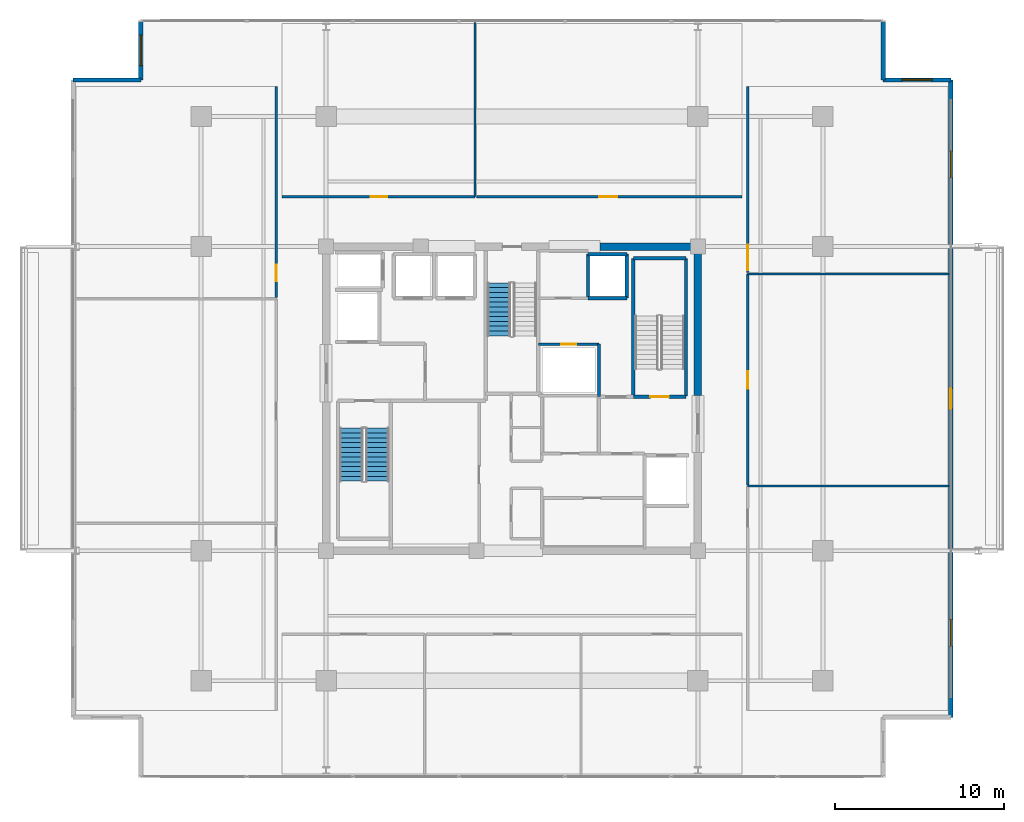
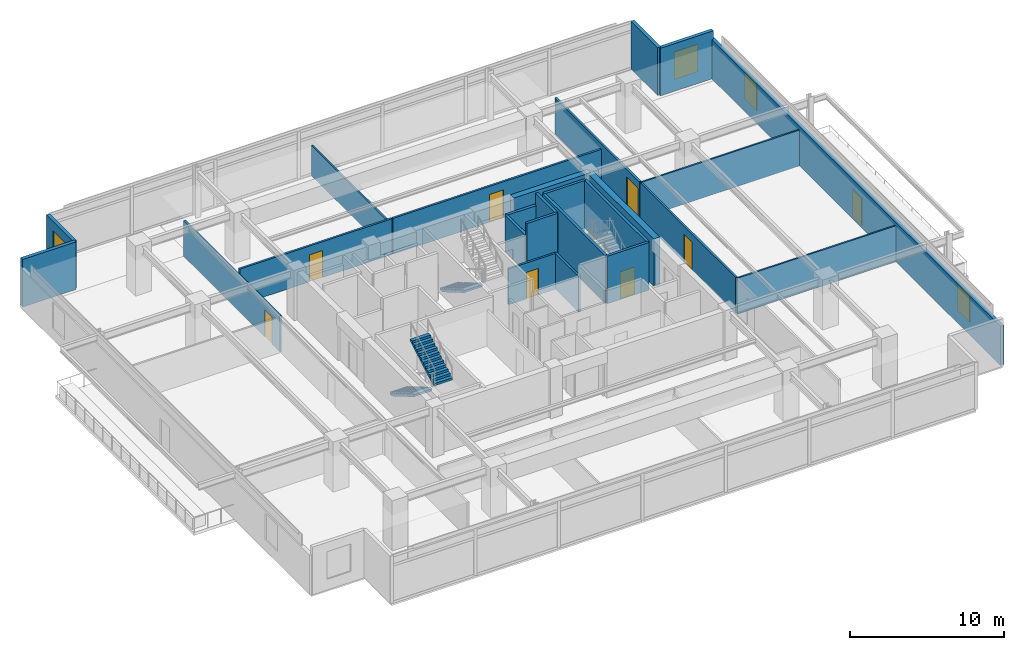
# One storey, part 16 of 21: 25 walls, 8 doors, 4 windows, 3 stair flights, 12 openings, 2 elements without a shape of their own.
"""IFC4 building model written with IfcOpenShell, lengths in metres."""

from ifc_helpers import new_model, si_unit, direction, frame, frame_2d, origin, place, context, subcontext, project, spatial, polyline, rectangle, outline, extrude, material, layer, layer_set, type_object, element, fill, aggregate, save


model = new_model("IFC4")

# Units and contexts
model_context = context("Model", 3, precision=1e-05, world=origin(), true_north=direction((0.0, 1.0)))
body_context = subcontext(model_context, "Body", "Model", "MODEL_VIEW")
ifc_project = project(units=[si_unit("LENGTHUNIT", "METRE"), si_unit("AREAUNIT", "SQUARE_METRE"), si_unit("VOLUMEUNIT", "CUBIC_METRE"), si_unit("PLANEANGLEUNIT", "RADIAN"), si_unit("MASSUNIT", "GRAM", prefix="KILO")], contexts=[model_context])

# Site, building, storey
site_placement = place(None, origin())
site = spatial("IfcSite", under=ifc_project, at=site_placement, CompositionType="ELEMENT")
building_placement = place(site_placement, origin())
building = spatial("IfcBuilding", under=site, at=building_placement, Name="Kovane Verandah Tower", CompositionType="ELEMENT")
storey_placement = place(building_placement, frame((0.0, 0.0, 275.199951171875)))
storey = spatial("IfcBuildingStorey", under=building, at=storey_placement, Name="L64", CompositionType="ELEMENT", Elevation=275.199951171875)

# Wall
ifc_material_1 = material(Name="Fire-Rated Gypsum Stud Partition", Category="gypsum")
ifc_layer_1 = layer(ifc_material_1, 0.14990234375)
ifc_layer_set_1 = layer_set([ifc_layer_1], Name="Fire-Rated Gypsum Stud Partition")
wall_type_1 = type_object("IfcWallType", Name="WL-COR-150", PredefinedType="PARTITIONING", material=ifc_layer_set_1)
wall_1_placement = place(storey_placement, frame((45.14990234375, 27.6201171875, 0.0), z_axis=(0.0, 0.0, 1.0), x_axis=(0.0, 1.0, 0.0)))
element("IfcWall", 1, at=wall_1_placement, inside=storey, type_object=wall_type_1, Name="L64 East Core Service Riser East Wall", PredefinedType="PARTITIONING", context=body_context, shape_type="SweptSolid", body=[
    extrude(rectangle(XDim=3.099853515625, YDim=0.14990234375, at=frame_2d((1.5498046875, 0.0))), origin(), (0.0, 0.0, 1.0), 2.85009765625),
])

# Wall, opening, door
wall_2_placement = place(storey_placement, frame((41.56005859375, 30.719970703125, 0.0), z_axis=(0.0, 0.0, 1.0), x_axis=(1.0, 0.0, 0.0)))
wall_2 = element("IfcWall", 2, at=wall_2_placement, inside=storey, type_object=wall_type_1, Name="L64 Combined Chilled Water and Smoke Duct Room Partition", PredefinedType="PARTITIONING", context=body_context, shape_type="SweptSolid", body=[
    extrude(rectangle(XDim=3.58984375, YDim=0.14990234375, at=frame_2d((1.794921875, 0.0))), origin(), (0.0, 0.0, 1.0), 2.85009765625),
])
opening_1_placement = place(wall_2_placement, frame((1.35498046875, 0.0, 0.0)))
opening_1 = element("IfcOpeningElement", 3, at=opening_1_placement, cuts=wall_2, Name="Opening DR-L64-018", PredefinedType="OPENING", context=body_context, shape_type="SweptSolid", body=[
    extrude(rectangle(XDim=0.8798828125, YDim=2.10009765625, at=frame_2d((0.43994140625, 1.050048828125))), frame((0.0, 0.074951171875, 0.0), z_axis=(0.0, -1.0, 0.0), x_axis=(1.0, 0.0, 0.0)), (0.0, 0.0, 1.0), 0.14990234375),
])
ifc_material_2 = material(Name="Fire-Rated Steel Riser Access Door", Category="steel")
door_type_1 = type_object("IfcDoorType", Name="DR-RISER-880", OperationType="SINGLE_SWING_LEFT", PredefinedType="DOOR", material=ifc_material_2)
door_1_placement = place(opening_1_placement, origin())
door_1 = element("IfcDoor", 4, at=door_1_placement, inside=storey, type_object=door_type_1, Name="L64 Combined Chilled Water and Smoke Duct Room Door", OperationType="SINGLE_SWING_RIGHT", OverallHeight=2.10009765625, OverallWidth=0.8798828125, PredefinedType="DOOR", context=body_context, shape_type="SweptSolid", body=[
    extrude(rectangle(XDim=0.8798828125, YDim=2.10009765625, at=frame_2d((0.43994140625, 1.050048828125))), frame((0.0, 0.02490234375, 0.0), z_axis=(0.0, -1.0, 0.0), x_axis=(1.0, 0.0, 0.0)), (0.0, 0.0, 1.0), 0.050048828125),
])
fill(opening_1, door_1)

wall_3_placement = place(storey_placement, frame((26.39990234375, 39.449951171875, 0.0), z_axis=(0.0, 0.0, 1.0), x_axis=(1.0, 0.0, 0.0)))
wall_3 = element("IfcWall", 5, at=wall_3_placement, inside=storey, type_object=wall_type_1, Name="L64 Open Plan Office N1 Corridor Partition", PredefinedType="PARTITIONING", context=body_context, shape_type="SweptSolid", body=[
    extrude(rectangle(XDim=11.424072265625, YDim=0.14990234375, at=frame_2d((5.7119140625, 0.0))), origin(), (0.0, 0.0, 1.0), 2.85009765625),
])
opening_2_placement = place(wall_3_placement, frame((5.22705078125, 0.0, 0.0)))
opening_2 = element("IfcOpeningElement", 6, at=opening_2_placement, cuts=wall_3, Name="Opening DR-L64-019", PredefinedType="OPENING", context=body_context, shape_type="SweptSolid", body=[
    extrude(rectangle(XDim=1.0, YDim=2.14990234375, at=frame_2d((0.5, 1.074951171875))), frame((0.0, 0.074951171875, 0.0), z_axis=(0.0, -1.0, 0.0), x_axis=(1.0, 0.0, 0.0)), (0.0, 0.0, 1.0), 0.14990234375),
])
ifc_material_3 = material(Name="FSC Spotted-Gum Timber Fire-Rated Office Door", Category="wood")
door_type_2 = type_object("IfcDoorType", Name="DR-OFF-1000", OperationType="SINGLE_SWING_LEFT", PredefinedType="DOOR", material=ifc_material_3)
door_2_placement = place(opening_2_placement, origin())
door_2 = element("IfcDoor", 7, at=door_2_placement, inside=storey, type_object=door_type_2, Name="L64 Open Plan Office N1 Entrance Door", OperationType="SINGLE_SWING_RIGHT", OverallHeight=2.14990234375, OverallWidth=1.0, PredefinedType="DOOR", context=body_context, shape_type="SweptSolid", body=[
    extrude(rectangle(XDim=1.0, YDim=2.14990234375, at=frame_2d((0.5, 1.074951171875))), frame((0.0, 0.02490234375, 0.0), z_axis=(0.0, -1.0, 0.0), x_axis=(1.0, 0.0, 0.0)), (0.0, 0.0, 1.0), 0.050048828125),
])
fill(opening_2, door_2)

wall_4_placement = place(storey_placement, frame((37.89404296875, 39.449951171875, 0.0), z_axis=(0.0, 0.0, 1.0), x_axis=(1.0, 0.0, 0.0)))
wall_4 = element("IfcWall", 8, at=wall_4_placement, inside=storey, type_object=wall_type_1, Name="L64 Executive Office N2 Corridor Partition", PredefinedType="PARTITIONING", context=body_context, shape_type="SweptSolid", body=[
    extrude(rectangle(XDim=15.7060546875, YDim=0.14990234375, at=frame_2d((7.85302734375, 0.0))), origin(), (0.0, 0.0, 1.0), 2.85009765625),
])
opening_3_placement = place(wall_4_placement, frame((7.278076171875, 0.0, 0.0)))
opening_3 = element("IfcOpeningElement", 9, at=opening_3_placement, cuts=wall_4, Name="Opening DR-L64-020", PredefinedType="OPENING", context=body_context, shape_type="SweptSolid", body=[
    extrude(rectangle(XDim=1.050048828125, YDim=2.199951171875, at=frame_2d((0.52490234375, 1.10009765625))), frame((0.0, 0.074951171875, 0.0), z_axis=(0.0, -1.0, 0.0), x_axis=(1.0, 0.0, 0.0)), (0.0, 0.0, 1.0), 0.14990234375),
])
ifc_material_4 = material(Name="FSC Blackbutt Timber Fire-Rated Executive Door", Category="wood")
door_type_3 = type_object("IfcDoorType", Name="DR-EXEC-1050", OperationType="SINGLE_SWING_LEFT", PredefinedType="DOOR", material=ifc_material_4)
door_3_placement = place(opening_3_placement, origin())
door_3 = element("IfcDoor", 10, at=door_3_placement, inside=storey, type_object=door_type_3, Name="L64 Executive Office N2 Entrance Door", OperationType="SINGLE_SWING_LEFT", OverallHeight=2.199951171875, OverallWidth=1.050048828125, PredefinedType="DOOR", context=body_context, shape_type="SweptSolid", body=[
    extrude(rectangle(XDim=1.050048828125, YDim=2.199951171875, at=frame_2d((0.52490234375, 1.10009765625))), frame((0.0, 0.02490234375, 0.0), z_axis=(0.0, -1.0, 0.0), x_axis=(1.0, 0.0, 0.0)), (0.0, 0.0, 1.0), 0.050048828125),
])
fill(opening_3, door_3)

wall_5_placement = place(storey_placement, frame((26.050048828125, 33.477294921875, 0.0), z_axis=(0.0, 0.0, 1.0), x_axis=(0.0, 1.0, 0.0)))
wall_5 = element("IfcWall", 11, at=wall_5_placement, inside=storey, type_object=wall_type_1, Name="L64 Document and Print Room W3 Corridor Partition", PredefinedType="PARTITIONING", context=body_context, shape_type="SweptSolid", body=[
    extrude(rectangle(XDim=12.48291015625, YDim=0.14990234375, at=frame_2d((6.241455078125, 0.0))), origin(), (0.0, 0.0, 1.0), 2.85009765625),
])
opening_4_placement = place(wall_5_placement, frame((0.96142578125, 0.0, 0.0)))
opening_4 = element("IfcOpeningElement", 12, at=opening_4_placement, cuts=wall_5, Name="Opening DR-L64-029", PredefinedType="OPENING", context=body_context, shape_type="SweptSolid", body=[
    extrude(rectangle(XDim=1.0, YDim=2.14990234375, at=frame_2d((0.5, 1.074951171875))), frame((0.0, 0.074951171875, 0.0), z_axis=(0.0, -1.0, 0.0), x_axis=(1.0, 0.0, 0.0)), (0.0, 0.0, 1.0), 0.14990234375),
])
door_4_placement = place(opening_4_placement, origin())
door_4 = element("IfcDoor", 13, at=door_4_placement, inside=storey, type_object=door_type_2, Name="L64 Document and Print Room W3 Entrance Door", OperationType="SINGLE_SWING_LEFT", OverallHeight=2.14990234375, OverallWidth=1.0, PredefinedType="DOOR", context=body_context, shape_type="SweptSolid", body=[
    extrude(rectangle(XDim=1.0, YDim=2.14990234375, at=frame_2d((0.5, 1.074951171875))), frame((0.0, 0.02490234375, 0.0), z_axis=(0.0, -1.0, 0.0), x_axis=(1.0, 0.0, 0.0)), (0.0, 0.0, 1.0), 0.050048828125),
])
fill(opening_4, door_4)

wall_6_placement = place(storey_placement, frame((53.949951171875, 22.401123046875, 0.0), z_axis=(0.0, 0.0, 1.0), x_axis=(0.0, 1.0, 0.0)))
wall_6 = element("IfcWall", 14, at=wall_6_placement, inside=storey, type_object=wall_type_1, Name="L64 Executive Office E2 Corridor Partition", PredefinedType="PARTITIONING", context=body_context, shape_type="SweptSolid", body=[
    extrude(rectangle(XDim=12.48291015625, YDim=0.14990234375, at=frame_2d((6.241455078125, 0.0))), origin(), (0.0, 0.0, 1.0), 2.85009765625),
])
opening_5_placement = place(wall_6_placement, frame((5.681396484375, 0.0, 0.0)))
opening_5 = element("IfcOpeningElement", 15, at=opening_5_placement, cuts=wall_6, Name="Opening DR-L64-012", PredefinedType="OPENING", context=body_context, shape_type="SweptSolid", body=[
    extrude(rectangle(XDim=1.050048828125, YDim=2.199951171875, at=frame_2d((0.52490234375, 1.10009765625))), frame((0.0, 0.074951171875, 0.0), z_axis=(0.0, -1.0, 0.0), x_axis=(1.0, 0.0, 0.0)), (0.0, 0.0, 1.0), 0.14990234375),
])
door_5_placement = place(opening_5_placement, origin())
door_5 = element("IfcDoor", 16, at=door_5_placement, inside=storey, type_object=door_type_3, Name="L64 Executive Office E2 Entrance Door", OperationType="SINGLE_SWING_LEFT", OverallHeight=2.199951171875, OverallWidth=1.050048828125, PredefinedType="DOOR", context=body_context, shape_type="SweptSolid", body=[
    extrude(rectangle(XDim=1.050048828125, YDim=2.199951171875, at=frame_2d((0.52490234375, 1.10009765625))), frame((0.0, 0.02490234375, 0.0), z_axis=(0.0, -1.0, 0.0), x_axis=(1.0, 0.0, 0.0)), (0.0, 0.0, 1.0), 0.050048828125),
])
fill(opening_5, door_5)

wall_7_placement = place(storey_placement, frame((53.949951171875, 34.9541015625, 0.0), z_axis=(0.0, 0.0, 1.0), x_axis=(0.0, 1.0, 0.0)))
wall_7 = element("IfcWall", 17, at=wall_7_placement, inside=storey, type_object=wall_type_1, Name="L64 Client Boardroom E3 Corridor Partition", PredefinedType="PARTITIONING", context=body_context, shape_type="SweptSolid", body=[
    extrude(rectangle(XDim=11.006103515625, YDim=0.14990234375, at=frame_2d((5.5029296875, 0.0))), origin(), (0.0, 0.0, 1.0), 2.85009765625),
])
opening_6_placement = place(wall_7_placement, frame((0.139892578125, 0.0, 0.0)))
opening_6 = element("IfcOpeningElement", 18, at=opening_6_placement, cuts=wall_7, Name="Opening DR-L64-013", PredefinedType="OPENING", context=body_context, shape_type="SweptSolid", body=[
    extrude(rectangle(XDim=1.5, YDim=2.25, at=frame_2d((0.75, 1.125))), frame((0.0, 0.074951171875, 0.0), z_axis=(0.0, -1.0, 0.0), x_axis=(1.0, 0.0, 0.0)), (0.0, 0.0, 1.0), 0.14990234375),
])
ifc_material_5 = material(Name="Glazed Timber Fire-Rated Double Door", Category="wood")
door_type_4 = type_object("IfcDoorType", Name="DR-CONF-1500", OperationType="DOUBLE_DOOR_SINGLE_SWING", PredefinedType="DOOR", material=ifc_material_5)
door_6_placement = place(opening_6_placement, origin())
door_6 = element("IfcDoor", 19, at=door_6_placement, inside=storey, type_object=door_type_4, Name="L64 Client Boardroom E3 Entrance Door", OperationType="DOUBLE_DOOR_SINGLE_SWING", OverallHeight=2.25, OverallWidth=1.5, PredefinedType="DOOR", context=body_context, shape_type="SweptSolid", body=[
    extrude(rectangle(XDim=1.5, YDim=2.25, at=frame_2d((0.75, 1.125))), frame((0.0, 0.02490234375, 0.0), z_axis=(0.0, -1.0, 0.0), x_axis=(1.0, 0.0, 0.0)), (0.0, 0.0, 1.0), 0.050048828125),
])
fill(opening_6, door_6)

# Walls
ifc_material_6 = material(Name="Concrete C60/75", Category="concrete")
ifc_layer_2 = layer(ifc_material_6, 0.449951171875)
ifc_layer_set_2 = layer_set([ifc_layer_2], Name="Concrete C60/75")
wall_type_2 = type_object("IfcWallType", Name="WL-CORE-450", PredefinedType="SHEAR", material=ifc_layer_set_2)
wall_8_placement = place(storey_placement, frame((45.199951171875, 36.5, 0.0), z_axis=(0.0, 0.0, 1.0), x_axis=(1.0, 0.0, 0.0)))
element("IfcWall", 20, at=wall_8_placement, inside=storey, type_object=wall_type_2, Name="L64 Core Shear Wall CN-3", PredefinedType="SHEAR", context=body_context, shape_type="SweptSolid", body=[
    extrude(rectangle(XDim=5.800048828125, YDim=0.449951171875, at=frame_2d((2.89990234375, 0.0))), origin(), (0.0, 0.0, 1.0), 3.78515625),
])
wall_9_placement = place(storey_placement, frame((51.0, 27.699951171875, 0.0), z_axis=(0.0, 0.0, 1.0), x_axis=(0.0, 1.0, 0.0)))
element("IfcWall", 21, at=wall_9_placement, inside=storey, type_object=wall_type_2, Name="L64 Core Shear Wall CE-2", PredefinedType="SHEAR", context=body_context, shape_type="SweptSolid", body=[
    extrude(rectangle(XDim=8.800048828125, YDim=0.449951171875, at=frame_2d((4.39990234375, 0.0))), origin(), (0.0, 0.0, 1.0), 3.78515625),
])
ifc_material_7 = material(Name="Concrete C45/55 Lift Shaft Wall", Category="concrete")
ifc_layer_3 = layer(ifc_material_7, 0.199951171875)
ifc_layer_set_3 = layer_set([ifc_layer_3], Name="Concrete C45/55 Lift Shaft Wall")
wall_type_3 = type_object("IfcWallType", Name="WL-LIFT-200", PredefinedType="SOLIDWALL", material=ifc_layer_set_3)
wall_10_placement = place(storey_placement, frame((44.5, 33.449951171875, 0.0), z_axis=(0.0, 0.0, 1.0), x_axis=(1.0, 0.0, 0.0)))
element("IfcWall", 22, at=wall_10_placement, inside=storey, type_object=wall_type_3, Name="L64 Lift OL-01 S Shaft Wall", PredefinedType="SOLIDWALL", context=body_context, shape_type="SweptSolid", body=[
    extrude(rectangle(XDim=2.300048828125, YDim=0.199951171875, at=frame_2d((1.14990234375, 0.0))), origin(), (0.0, 0.0, 1.0), 3.78515625),
])
wall_11_placement = place(storey_placement, frame((46.800048828125, 36.050048828125, 0.0), z_axis=(0.0, 0.0, 1.0), x_axis=(-1.0, 0.0, 0.0)))
element("IfcWall", 23, at=wall_11_placement, inside=storey, type_object=wall_type_3, Name="L64 Lift OL-01 N Shaft Wall", PredefinedType="SOLIDWALL", context=body_context, shape_type="SweptSolid", body=[
    extrude(rectangle(XDim=2.300048828125, YDim=0.199951171875, at=frame_2d((1.14990234375, 0.0))), origin(), (0.0, 0.0, 1.0), 2.864990234375),
])
wall_12_placement = place(storey_placement, frame((44.5, 36.050048828125, 0.0), z_axis=(0.0, 0.0, 1.0), x_axis=(0.0, -1.0, 0.0)))
element("IfcWall", 24, at=wall_12_placement, inside=storey, type_object=wall_type_3, Name="L64 Lift OL-01 W Shaft Wall", PredefinedType="SOLIDWALL", context=body_context, shape_type="SweptSolid", body=[
    extrude(rectangle(XDim=2.60009765625, YDim=0.199951171875, at=frame_2d((1.300048828125, 0.0))), origin(), (0.0, 0.0, 1.0), 2.864990234375),
])
wall_13_placement = place(storey_placement, frame((46.800048828125, 33.449951171875, 0.0), z_axis=(0.0, 0.0, 1.0), x_axis=(0.0, 1.0, 0.0)))
element("IfcWall", 25, at=wall_13_placement, inside=storey, type_object=wall_type_3, Name="L64 Lift OL-01 E Shaft Wall", PredefinedType="SOLIDWALL", context=body_context, shape_type="SweptSolid", body=[
    extrude(rectangle(XDim=2.60009765625, YDim=0.199951171875, at=frame_2d((1.300048828125, 0.0))), origin(), (0.0, 0.0, 1.0), 3.78515625),
])
ifc_material_8 = material(Name="Acoustic Fire-Rated Gypsum Partition", Category="gypsum")
ifc_layer_4 = layer(ifc_material_8, 0.1201171875)
ifc_layer_set_4 = layer_set([ifc_layer_4], Name="Acoustic Fire-Rated Gypsum Partition")
wall_type_4 = type_object("IfcWallType", Name="WL-PART-120", PredefinedType="PARTITIONING", material=ifc_layer_set_4)
wall_14_placement = place(storey_placement, frame((37.823974609375, 39.449951171875, 0.0), z_axis=(0.0, 0.0, 1.0), x_axis=(0.0, 1.0, 0.0)))
element("IfcWall", 26, at=wall_14_placement, inside=storey, type_object=wall_type_4, Name="L64 Open Plan Office N1 Dividing Partition", PredefinedType="PARTITIONING", context=body_context, shape_type="SweptSolid", body=[
    extrude(rectangle(XDim=10.31005859375, YDim=0.1201171875, at=frame_2d((5.155029296875, 0.0))), origin(), (0.0, 0.0, 1.0), 2.4150390625),
])
for number, where, z_axis, x_axis, name in (
    (27, (53.949951171875, 22.331298828125, 0.0), (0.0, 0.0, 1.0), (1.0, 0.0, 0.0), "L64 Open Plan Office E1 Dividing Partition"),
    (28, (53.949951171875, 34.884033203125, 0.0), (0.0, 0.0, 1.0), (1.0, 0.0, 0.0), "L64 Executive Office E2 Dividing Partition"),
):
    element("IfcWall", number, at=place(storey_placement, frame(where, z_axis=z_axis, x_axis=x_axis)), inside=storey, type_object=wall_type_4, Name=name, PredefinedType="PARTITIONING", context=body_context, shape_type="SweptSolid", body=[
        extrude(rectangle(XDim=11.91943359375, YDim=0.1201171875, at=frame_2d((5.959716796875, 0.0))), origin(), (0.0, 0.0, 1.0), 2.85009765625),
    ])
ifc_material_9 = material(Name="Concrete C45/55", Category="concrete")
ifc_layer_5 = layer(ifc_material_9, 0.199951171875)
ifc_layer_set_5 = layer_set([ifc_layer_5], Name="Concrete C45/55")
wall_type_5 = type_object("IfcWallType", Name="WL-SHAFT-200", PredefinedType="SOLIDWALL", material=ifc_layer_set_5)
wall_15_placement = place(storey_placement, frame((50.300048828125, 27.64990234375, 0.0), z_axis=(0.0, 0.0, 1.0), x_axis=(0.0, 1.0, 0.0)))
element("IfcWall", 29, at=wall_15_placement, inside=storey, type_object=wall_type_5, Name="W-L64-ST02-E", PredefinedType="SOLIDWALL", context=body_context, shape_type="SweptSolid", body=[
    extrude(rectangle(XDim=8.150146484375, YDim=0.199951171875, at=frame_2d((4.0751953125, 0.0))), origin(), (0.0, 0.0, 1.0), 3.78515625),
])
wall_16_placement = place(storey_placement, frame((47.179931640625, 35.800048828125, 0.0), z_axis=(0.0, 0.0, 1.0), x_axis=(1.0, 0.0, 0.0)))
element("IfcWall", 30, at=wall_16_placement, inside=storey, type_object=wall_type_5, Name="W-L64-ST02-N", PredefinedType="SOLIDWALL", context=body_context, shape_type="SweptSolid", body=[
    extrude(rectangle(XDim=3.1201171875, YDim=0.199951171875, at=frame_2d((1.56005859375, 0.0))), origin(), (0.0, 0.0, 1.0), 3.78515625),
])
wall_17_placement = place(storey_placement, frame((47.179931640625, 27.6201171875, 0.0), z_axis=(0.0, 0.0, 1.0), x_axis=(0.0, 1.0, 0.0)))
element("IfcWall", 31, at=wall_17_placement, inside=storey, type_object=wall_type_5, Name="W-L64-ST02-W", PredefinedType="SOLIDWALL", context=body_context, shape_type="SweptSolid", body=[
    extrude(rectangle(XDim=8.179931640625, YDim=0.199951171875, at=frame_2d((4.08984375, 0.0))), origin(), (0.0, 0.0, 1.0), 3.78515625),
])

# Wall, opening, door
wall_18_placement = place(storey_placement, frame((47.179931640625, 27.6201171875, 0.0), z_axis=(0.0, 0.0, 1.0), x_axis=(1.0, 0.0, 0.0)))
wall_18 = element("IfcWall", 32, at=wall_18_placement, inside=storey, type_object=wall_type_5, Name="W-L64-ST02-S", PredefinedType="SOLIDWALL", context=body_context, shape_type="SweptSolid", body=[
    extrude(rectangle(XDim=3.1201171875, YDim=0.199951171875, at=frame_2d((1.56005859375, 0.0))), origin(), (0.0, 0.0, 1.0), 3.78515625),
])
opening_7_placement = place(wall_18_placement, frame((1.010009765625, 0.0, 0.0)))
opening_7 = element("IfcOpeningElement", 33, at=opening_7_placement, cuts=wall_18, Name="Opening DR-L64-009", PredefinedType="OPENING", context=body_context, shape_type="SweptSolid", body=[
    extrude(rectangle(XDim=1.10009765625, YDim=2.14990234375, at=frame_2d((0.550048828125, 1.074951171875))), frame((0.0, 0.10009765625, 0.0), z_axis=(0.0, -1.0, 0.0), x_axis=(1.0, 0.0, 0.0)), (0.0, 0.0, 1.0), 0.199951171875),
])
ifc_material_10 = material(Name="Fire-Rated Steel Exit Door", Category="steel")
door_type_5 = type_object("IfcDoorType", Name="DR-STAIR-1100", OperationType="SINGLE_SWING_LEFT", PredefinedType="DOOR", material=ifc_material_10)
door_7_placement = place(opening_7_placement, origin())
door_7 = element("IfcDoor", 34, at=door_7_placement, inside=storey, type_object=door_type_5, Name="L64 ST-02 Fire Exit Stair Door", OperationType="SINGLE_SWING_RIGHT", OverallHeight=2.14990234375, OverallWidth=1.10009765625, PredefinedType="DOOR", context=body_context, shape_type="SweptSolid", body=[
    extrude(rectangle(XDim=1.10009765625, YDim=2.14990234375, at=frame_2d((0.550048828125, 1.074951171875))), frame((0.0, 0.02490234375, 0.0), z_axis=(0.0, -1.0, 0.0), x_axis=(1.0, 0.0, 0.0)), (0.0, 0.0, 1.0), 0.050048828125),
])
fill(opening_7, door_7)

# Wall, openings, door, windows
ifc_material_11 = material(Name="Concrete C45/55 Insulated Spandrel Wall", Category="concrete")
ifc_layer_6 = layer(ifc_material_11, 0.260009765625)
ifc_layer_set_6 = layer_set([ifc_layer_6], Name="Concrete C45/55 Insulated Spandrel Wall")
wall_type_6 = type_object("IfcWallType", Name="WL-SPANDREL-260", PredefinedType="PARAPET", material=ifc_layer_set_6)
wall_19_placement = place(storey_placement, frame((65.96923828125, 8.639892578125, 0.0), z_axis=(0.0, 0.0, 1.0), x_axis=(0.0, 1.0, 0.0)))
wall_19 = element("IfcWall", 35, at=wall_19_placement, inside=storey, type_object=wall_type_6, Name="L64 E Verandah Access Facade Wall", PredefinedType="PARAPET", context=body_context, shape_type="SweptSolid", body=[
    extrude(rectangle(XDim=37.72021484375, YDim=0.260009765625, at=frame_2d((18.860107421875, 0.0))), origin(), (0.0, 0.0, 1.0), 3.122802734375),
])
opening_8_placement = place(wall_19_placement, frame((4.199951171875, 0.0, 0.85009765625)))
opening_8 = element("IfcOpeningElement", 36, at=opening_8_placement, cuts=wall_19, Name="Opening W-02", PredefinedType="OPENING", context=body_context, shape_type="SweptSolid", body=[
    extrude(rectangle(XDim=1.60009765625, YDim=2.10009765625, at=frame_2d((0.800048828125, 1.050048828125))), frame((0.0, 0.1298828125, 0.0), z_axis=(0.0, -1.0, 0.0), x_axis=(1.0, 0.0, 0.0)), (0.0, 0.0, 1.0), 0.260009765625),
])
opening_9_placement = place(wall_19_placement, frame((18.260009765625, 0.0, 0.0)))
opening_9 = element("IfcOpeningElement", 37, at=opening_9_placement, cuts=wall_19, Name="Opening DR-L64-001", PredefinedType="OPENING", context=body_context, shape_type="SweptSolid", body=[
    extrude(rectangle(XDim=1.199951171875, YDim=2.199951171875, at=frame_2d((0.60009765625, 1.10009765625))), frame((0.0, 0.1298828125, 0.0), z_axis=(0.0, -1.0, 0.0), x_axis=(1.0, 0.0, 0.0)), (0.0, 0.0, 1.0), 0.260009765625),
])
opening_10_placement = place(wall_19_placement, frame((31.920166015625, 0.0, 0.85009765625)))
opening_10 = element("IfcOpeningElement", 38, at=opening_10_placement, cuts=wall_19, Name="Opening W-02", PredefinedType="OPENING", context=body_context, shape_type="SweptSolid", body=[
    extrude(rectangle(XDim=1.60009765625, YDim=2.10009765625, at=frame_2d((0.800048828125, 1.050048828125))), frame((0.0, 0.1298828125, 0.0), z_axis=(0.0, -1.0, 0.0), x_axis=(1.0, 0.0, 0.0)), (0.0, 0.0, 1.0), 0.260009765625),
])
ifc_material_12 = material(Name="Cyclone-Rated Glazed Balcony Leaf Door", Category="aluminium")
door_type_6 = type_object("IfcDoorType", Name="DR-BAL-1200x2200", OperationType="SINGLE_SWING_LEFT", PredefinedType="DOOR", material=ifc_material_12)
door_8_placement = place(opening_9_placement, origin())
door_8 = element("IfcDoor", 39, at=door_8_placement, inside=storey, type_object=door_type_6, Name="L64 E Planted Balcony Access Door", OperationType="SINGLE_SWING_LEFT", OverallHeight=2.199951171875, OverallWidth=1.199951171875, PredefinedType="DOOR", context=body_context, shape_type="SweptSolid", body=[
    extrude(rectangle(XDim=1.199951171875, YDim=2.199951171875, at=frame_2d((0.60009765625, 1.10009765625))), frame((0.0, 0.02490234375, 0.0), z_axis=(0.0, -1.0, 0.0), x_axis=(1.0, 0.0, 0.0)), (0.0, 0.0, 1.0), 0.050048828125),
])
fill(opening_9, door_8)
ifc_material_13 = material(Name="Clear Low-E Laminated Double Glazing in Anodised Frame", Category="glass")
window_type_1 = type_object("IfcWindowType", Name="WN-OPER-1600x2100", PartitioningType="SINGLE_PANEL", PredefinedType="WINDOW", material=ifc_material_13)
window_1_placement = place(opening_8_placement, origin())
window_1 = element("IfcWindow", 40, at=window_1_placement, inside=storey, type_object=window_type_1, Name="L64 E Verandah View Window 1", OverallHeight=2.10009765625, OverallWidth=1.60009765625, PartitioningType="SINGLE_PANEL", PredefinedType="WINDOW", context=body_context, shape_type="SweptSolid", body=[
    extrude(rectangle(XDim=1.60009765625, YDim=2.10009765625, at=frame_2d((0.800048828125, 1.050048828125))), frame((0.0, 0.030029296875, 0.0), z_axis=(0.0, -1.0, 0.0), x_axis=(1.0, 0.0, 0.0)), (0.0, 0.0, 1.0), 0.06005859375),
])
fill(opening_8, window_1)
window_2_placement = place(opening_10_placement, origin())
window_2 = element("IfcWindow", 41, at=window_2_placement, inside=storey, type_object=window_type_1, Name="L64 E Verandah View Window 2", OverallHeight=2.10009765625, OverallWidth=1.60009765625, PartitioningType="SINGLE_PANEL", PredefinedType="WINDOW", context=body_context, shape_type="SweptSolid", body=[
    extrude(rectangle(XDim=1.60009765625, YDim=2.10009765625, at=frame_2d((0.800048828125, 1.050048828125))), frame((0.0, 0.030029296875, 0.0), z_axis=(0.0, -1.0, 0.0), x_axis=(1.0, 0.0, 0.0)), (0.0, 0.0, 1.0), 0.06005859375),
])
fill(opening_10, window_2)

# Wall, opening, window
wall_20_placement = place(storey_placement, frame((65.96923828125, 46.360107421875, 0.0), z_axis=(0.0, 0.0, 1.0), x_axis=(-1.0, 0.0, 0.0)))
wall_20 = element("IfcWall", 42, at=wall_20_placement, inside=storey, type_object=wall_type_6, Name="L64 NE Notch Cheek Wall 1", PredefinedType="PARAPET", context=body_context, shape_type="SweptSolid", body=[
    extrude(rectangle(XDim=4.0, YDim=0.260009765625, at=frame_2d((2.0, 0.0))), origin(), (0.0, 0.0, 1.0), 3.78515625),
])
opening_11_placement = place(wall_20_placement, frame((1.10009765625, 0.0, 0.85009765625)))
opening_11 = element("IfcOpeningElement", 43, at=opening_11_placement, cuts=wall_20, Name="Opening W-03", PredefinedType="OPENING", context=body_context, shape_type="SweptSolid", body=[
    extrude(rectangle(XDim=1.800048828125, YDim=2.199951171875, at=frame_2d((0.89990234375, 1.10009765625))), frame((0.0, 0.1298828125, 0.0), z_axis=(0.0, -1.0, 0.0), x_axis=(1.0, 0.0, 0.0)), (0.0, 0.0, 1.0), 0.260009765625),
])
window_type_2 = type_object("IfcWindowType", Name="WN-NOTCH-1800x2200", PartitioningType="SINGLE_PANEL", PredefinedType="WINDOW", material=ifc_material_13)
window_3_placement = place(opening_11_placement, origin())
window_3 = element("IfcWindow", 44, at=window_3_placement, inside=storey, type_object=window_type_2, Name="L64 NE Re-Entrant Corner Operable Window", OverallHeight=2.199951171875, OverallWidth=1.800048828125, PartitioningType="SINGLE_PANEL", PredefinedType="WINDOW", context=body_context, shape_type="SweptSolid", body=[
    extrude(rectangle(XDim=1.800048828125, YDim=2.199951171875, at=frame_2d((0.89990234375, 1.10009765625))), frame((0.0, 0.030029296875, 0.0), z_axis=(0.0, -1.0, 0.0), x_axis=(1.0, 0.0, 0.0)), (0.0, 0.0, 1.0), 0.06005859375),
])
fill(opening_11, window_3)

# Wall
wall_21_placement = place(storey_placement, frame((61.96923828125, 46.360107421875, 0.0), z_axis=(0.0, 0.0, 1.0), x_axis=(0.0, 1.0, 0.0)))
element("IfcWall", 45, at=wall_21_placement, inside=storey, type_object=wall_type_6, Name="L64 NE Notch Cheek Wall 2", PredefinedType="PARAPET", context=body_context, shape_type="SweptSolid", body=[
    extrude(rectangle(XDim=3.5, YDim=0.260009765625, at=frame_2d((1.75, 0.0))), origin(), (0.0, 0.0, 1.0), 3.78515625),
])

# Wall, opening, window
wall_22_placement = place(storey_placement, frame((18.03076171875, 49.860107421875, 0.0), z_axis=(0.0, 0.0, 1.0), x_axis=(0.0, -1.0, 0.0)))
wall_22 = element("IfcWall", 46, at=wall_22_placement, inside=storey, type_object=wall_type_6, Name="L64 NW Notch Cheek Wall 1", PredefinedType="PARAPET", context=body_context, shape_type="SweptSolid", body=[
    extrude(rectangle(XDim=3.5, YDim=0.260009765625, at=frame_2d((1.75, 0.0))), origin(), (0.0, 0.0, 1.0), 3.78515625),
])
opening_12_placement = place(wall_22_placement, frame((0.85009765625, 0.0, 0.85009765625)))
opening_12 = element("IfcOpeningElement", 47, at=opening_12_placement, cuts=wall_22, Name="Opening W-03", PredefinedType="OPENING", context=body_context, shape_type="SweptSolid", body=[
    extrude(rectangle(XDim=1.800048828125, YDim=2.199951171875, at=frame_2d((0.89990234375, 1.10009765625))), frame((0.0, 0.1298828125, 0.0), z_axis=(0.0, -1.0, 0.0), x_axis=(1.0, 0.0, 0.0)), (0.0, 0.0, 1.0), 0.260009765625),
])
window_4_placement = place(opening_12_placement, origin())
window_4 = element("IfcWindow", 48, at=window_4_placement, inside=storey, type_object=window_type_2, Name="L64 NW Re-Entrant Corner Operable Window", OverallHeight=2.199951171875, OverallWidth=1.800048828125, PartitioningType="SINGLE_PANEL", PredefinedType="WINDOW", context=body_context, shape_type="SweptSolid", body=[
    extrude(rectangle(XDim=1.800048828125, YDim=2.199951171875, at=frame_2d((0.89990234375, 1.10009765625))), frame((0.0, 0.030029296875, 0.0), z_axis=(0.0, -1.0, 0.0), x_axis=(1.0, 0.0, 0.0)), (0.0, 0.0, 1.0), 0.06005859375),
])
fill(opening_12, window_4)

# Wall
wall_23_placement = place(storey_placement, frame((18.03076171875, 46.360107421875, 0.0), z_axis=(0.0, 0.0, 1.0), x_axis=(-1.0, 0.0, 0.0)))
element("IfcWall", 49, at=wall_23_placement, inside=storey, type_object=wall_type_6, Name="L64 NW Notch Cheek Wall 2", PredefinedType="PARAPET", context=body_context, shape_type="SweptSolid", body=[
    extrude(rectangle(XDim=4.0, YDim=0.260009765625, at=frame_2d((2.0, 0.0))), origin(), (0.0, 0.0, 1.0), 3.78515625),
])

# Stair, stair flights
stair_type = type_object("IfcStairType", Name="ST-CORE-1380", PredefinedType="HALF_TURN_STAIR", material=ifc_material_9)
stair_1_placement = place(storey_placement, origin())
stair_1 = element("IfcStair", 50, at=stair_1_placement, inside=storey, type_object=stair_type, Name="L64 Exit Stair ST-01", PredefinedType="HALF_TURN_STAIR")
stair_flight_type = type_object("IfcStairFlightType", Name="STF-CORE-1380", PredefinedType="STRAIGHT", material=ifc_material_9)
stair_flight_1_placement = place(storey_placement, frame((30.489990234375, 25.75, 0.0), z_axis=(0.0, 0.0, 1.0), x_axis=(0.0, -1.0, 0.0)))
stair_flight_1 = element("IfcStairFlight", 51, at=stair_flight_1_placement, type_object=stair_flight_type, Name="ST-01 flight 1", NumberOfRisers=12, NumberOfTreads=11, PredefinedType="STRAIGHT", RiserHeight=0.166666667, TreadLength=0.285, context=body_context, shape_type="SweptSolid", body=[
    extrude(outline(polyline([(0.0, 0.0), (0.0, 0.166748046875), (0.284912109375, 0.166748046875), (0.284912109375, 0.333251953125), (0.570068359375, 0.333251953125), (0.570068359375, 0.5), (0.85498046875, 0.5), (0.85498046875, 0.666748046875), (1.139892578125, 0.666748046875), (1.139892578125, 0.833251953125), (1.425048828125, 0.833251953125), (1.425048828125, 1.0), (1.7099609375, 1.0), (1.7099609375, 1.166748046875), (1.9951171875, 1.166748046875), (1.9951171875, 1.333251953125), (2.280029296875, 1.333251953125), (2.280029296875, 1.5), (2.56494140625, 1.5), (2.56494140625, 1.666748046875), (2.85009765625, 1.666748046875), (2.85009765625, 1.833251953125), (3.135009765625, 1.833251953125), (3.135009765625, 2.0), (3.135009765625, 1.65966796875), (0.296875, 0.0), (0.0, 0.0)])), frame((0.0, 0.68994140625, 0.0), z_axis=(0.0, -1.0, 0.0), x_axis=(1.0, 0.0, 0.0)), (0.0, 0.0, 1.0), 1.3798828125),
])
stair_flight_2_placement = place(storey_placement, frame((32.030029296875, 22.614990234375, 2.0), z_axis=(0.0, 0.0, 1.0), x_axis=(0.0, 1.0, 0.0)))
stair_flight_2 = element("IfcStairFlight", 52, at=stair_flight_2_placement, type_object=stair_flight_type, Name="ST-01 flight 2", NumberOfRisers=12, NumberOfTreads=11, PredefinedType="STRAIGHT", RiserHeight=0.166666667, TreadLength=0.285, context=body_context, shape_type="SweptSolid", body=[
    extrude(outline(polyline([(0.0, 0.0), (0.0, 0.166748046875), (0.284912109375, 0.166748046875), (0.284912109375, 0.333251953125), (0.570068359375, 0.333251953125), (0.570068359375, 0.5), (0.85498046875, 0.5), (0.85498046875, 0.666748046875), (1.139892578125, 0.666748046875), (1.139892578125, 0.833251953125), (1.425048828125, 0.833251953125), (1.425048828125, 1.0), (1.7099609375, 1.0), (1.7099609375, 1.166748046875), (1.9951171875, 1.166748046875), (1.9951171875, 1.333251953125), (2.280029296875, 1.333251953125), (2.280029296875, 1.5), (2.56494140625, 1.5), (2.56494140625, 1.666748046875), (2.85009765625, 1.666748046875), (2.85009765625, 1.833251953125), (3.135009765625, 1.833251953125), (3.135009765625, 2.0), (3.135009765625, 1.65966796875), (0.296875, 0.0), (0.0, 0.0)])), frame((0.0, 0.68994140625, 0.0), z_axis=(0.0, -1.0, 0.0), x_axis=(1.0, 0.0, 0.0)), (0.0, 0.0, 1.0), 1.3798828125),
])
aggregate(stair_1, [stair_flight_1, stair_flight_2])

# Stair, stair flight
stair_2_placement = place(storey_placement, origin())
stair_2 = element("IfcStair", 53, at=stair_2_placement, inside=storey, type_object=stair_type, Name="L64 Exit Stair ST-03", PredefinedType="HALF_TURN_STAIR")
stair_flight_3_placement = place(storey_placement, frame((39.22998046875, 34.35009765625, 0.0), z_axis=(0.0, 0.0, 1.0), x_axis=(0.0, -1.0, 0.0)))
stair_flight_3 = element("IfcStairFlight", 54, at=stair_flight_3_placement, type_object=stair_flight_type, Name="ST-03 flight 1", NumberOfRisers=12, NumberOfTreads=11, PredefinedType="STRAIGHT", RiserHeight=0.166666667, TreadLength=0.285, context=body_context, shape_type="SweptSolid", body=[
    extrude(outline(polyline([(0.0, 0.0), (0.0, 0.166748046875), (0.284912109375, 0.166748046875), (0.284912109375, 0.333251953125), (0.570068359375, 0.333251953125), (0.570068359375, 0.5), (0.85498046875, 0.5), (0.85498046875, 0.666748046875), (1.139892578125, 0.666748046875), (1.139892578125, 0.833251953125), (1.425048828125, 0.833251953125), (1.425048828125, 1.0), (1.7099609375, 1.0), (1.7099609375, 1.166748046875), (1.9951171875, 1.166748046875), (1.9951171875, 1.333251953125), (2.280029296875, 1.333251953125), (2.280029296875, 1.5), (2.56494140625, 1.5), (2.56494140625, 1.666748046875), (2.85009765625, 1.666748046875), (2.85009765625, 1.833251953125), (3.135009765625, 1.833251953125), (3.135009765625, 2.0), (3.135009765625, 1.65966796875), (0.296875, 0.0), (0.0, 0.0)])), frame((0.0, 0.68994140625, 0.0), z_axis=(0.0, -1.0, 0.0), x_axis=(1.0, 0.0, 0.0)), (0.0, 0.0, 1.0), 1.3798828125),
])
aggregate(stair_2, [stair_flight_3])

save(model, "model.ifc")
